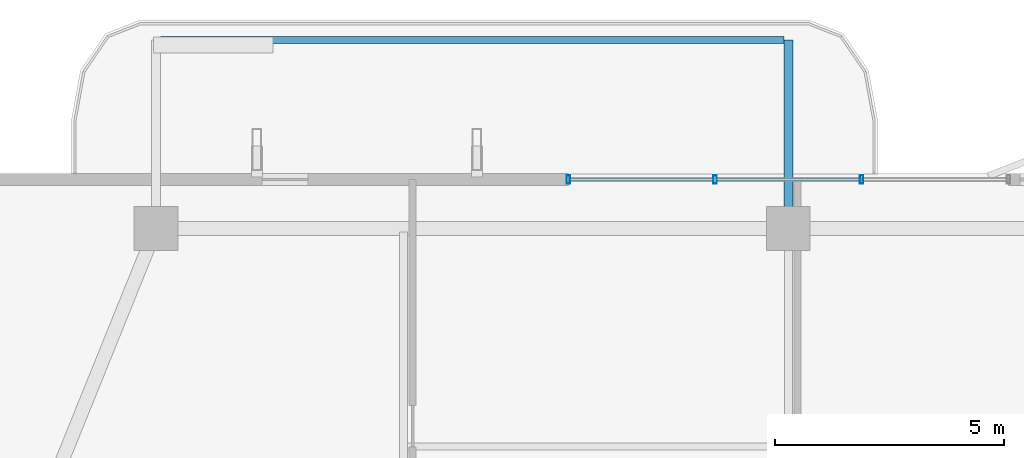
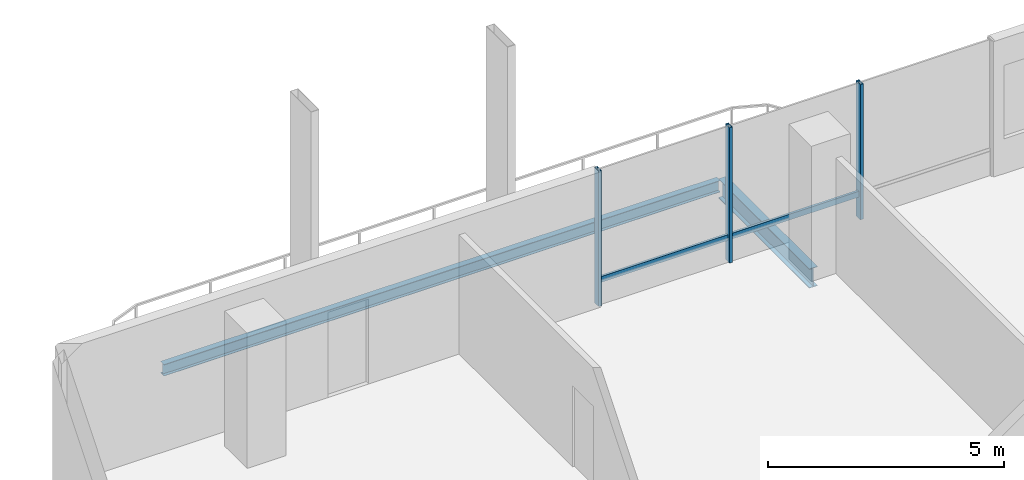
# One storey, part 13 of 25: 5 members, 2 beams, 1 element without a shape of its own.
"""IFC4 building model written with IfcOpenShell, lengths in metres."""

import ifcopenshell
import ifcopenshell.guid

model = None  # the IFC model being written
_history = None  # IfcOwnerHistory: only IFC2X3 demands one
_inside = {}  # id of a spatial element -> (the spatial element, [elements in it])
_under = {}  # id of a project, library or spatial element -> (it, [spatial elements below it])
_declared = {}  # id of a project -> (the project, [libraries it declares])
_typed = {}  # id of a type object -> (the type object, [elements of that type])
_made_of = {}  # id of a material, layer set ... -> (it, [elements and type objects made of it])


def new_model(schema):
    """Start an empty IFC model of exactly this schema.

    Asked for "IFC4X3", IfcOpenShell would pick the latest addendum, in which some entities
    have other attributes; the version numbers below select the first issue.
    IFC2X3 requires an IfcOwnerHistory on every rooted entity: one is made here for all.
    """
    global model, _history
    if schema == "IFC4X3":
        model = ifcopenshell.file(schema_version=(4, 3, 0, 0))
    else:
        model = ifcopenshell.file(schema=schema)
    _inside.clear()
    _under.clear()
    _declared.clear()
    _typed.clear()
    _made_of.clear()
    _history = None
    if model.schema == "IFC2X3":
        org = make("IfcOrganization", Name="unknown")
        user = make(
            "IfcPersonAndOrganization",
            ThePerson=make("IfcPerson", FamilyName="unknown"),
            TheOrganization=org,
        )
        app = make(
            "IfcApplication",
            ApplicationDeveloper=org,
            Version="unknown",
            ApplicationFullName="unknown",
            ApplicationIdentifier="unknown",
        )
        _history = make(
            "IfcOwnerHistory",
            OwningUser=user,
            OwningApplication=app,
            ChangeAction="ADDED",
            CreationDate=0,
        )
    return model


def make(cls, **values):
    """One entity of the class cls with the attributes given. An attribute that is None is left unset."""
    return model.create_entity(
        cls, **{name: value for name, value in values.items() if value is not None}
    )


def rooted(cls, **values):
    """An entity with a GlobalId (a new one), such as an element, a storey or a relation."""
    return make(cls, GlobalId=ifcopenshell.guid.new(), OwnerHistory=_history, **values)


def si_unit(unit_type, name, prefix=None):
    """IfcSIUnit, for example si_unit("LENGTHUNIT", "METRE", prefix="MILLI")."""
    return make("IfcSIUnit", UnitType=unit_type, Prefix=prefix, Name=name)


def assignment(units):
    """IfcUnitAssignment: the units of a project."""
    return None if units is None else make("IfcUnitAssignment", Units=units)


def point(xyz):
    """IfcCartesianPoint."""
    return None if xyz is None else make("IfcCartesianPoint", Coordinates=xyz)


def direction(xyz):
    """IfcDirection."""
    return None if xyz is None else make("IfcDirection", DirectionRatios=xyz)


def frame(location, z_axis=None, x_axis=None):
    """IfcAxis2Placement3D, a coordinate frame: its origin and axes. An axis left out is left unset."""
    return make(
        "IfcAxis2Placement3D",
        Location=point(location),
        Axis=direction(z_axis),
        RefDirection=direction(x_axis),
    )


def frame_2d(location, x_axis=None):
    """IfcAxis2Placement2D, a coordinate frame in the plane: its origin and x axis."""
    return make(
        "IfcAxis2Placement2D", Location=point(location), RefDirection=direction(x_axis)
    )


def origin():
    """The frame at (0, 0, 0) with its axes left unset."""
    return frame((0.0, 0.0, 0.0))


def origin_2d():
    """The frame at (0, 0) in the plane with its x axis left unset."""
    return frame_2d((0.0, 0.0))


def place(relative_to, where):
    """IfcLocalPlacement: puts the frame where relative to a parent placement (None: the world)."""
    return make(
        "IfcLocalPlacement", PlacementRelTo=relative_to, RelativePlacement=where
    )


def context(
    kind, dimensions, precision=None, world=None, true_north=None, identifier=None
):
    """IfcGeometricRepresentationContext, for example the 3D "Model" context."""
    return make(
        "IfcGeometricRepresentationContext",
        ContextIdentifier=identifier,
        ContextType=kind,
        CoordinateSpaceDimension=dimensions,
        Precision=precision,
        WorldCoordinateSystem=world,
        TrueNorth=true_north,
    )


def subcontext(parent, identifier, kind, view, scale=None):
    """IfcGeometricRepresentationSubContext, for example "Body" below "Model"."""
    return make(
        "IfcGeometricRepresentationSubContext",
        ContextIdentifier=identifier,
        ContextType=kind,
        ParentContext=parent,
        TargetScale=scale,
        TargetView=view,
    )


def project(units=None, contexts=None):
    """IfcProject with its units and contexts."""
    return rooted(
        "IfcProject",
        Name="project",
        RepresentationContexts=contexts,
        UnitsInContext=assignment(units),
    )


def spatial(cls, under=None, at=None, **own):
    """A site, building, storey or space (cls), placed at a placement, below another one or the project."""
    s = rooted(cls, ObjectPlacement=at, **own)
    if under is not None:
        _under.setdefault(under.id(), (under, []))[1].append(s)
    return s


def profile(cls, at=None, kind="AREA", **sizes):
    """A parametric profile (cls). Its sizes go by their IFC names, for example OverallWidth=200.0."""
    return make(cls, ProfileType=kind, Position=at, **sizes)


def hollow_rectangle(**sizes):
    """IfcRectangleHollowProfileDef."""
    return profile("IfcRectangleHollowProfileDef", **sizes)


def i_section(**sizes):
    """IfcIShapeProfileDef."""
    return profile("IfcIShapeProfileDef", **sizes)


def extrude(swept, where, along, depth):
    """IfcExtrudedAreaSolid: the profile swept, set in the frame where, extruded along a direction by depth."""
    return make(
        "IfcExtrudedAreaSolid",
        SweptArea=swept,
        Position=where,
        ExtrudedDirection=direction(along),
        Depth=depth,
    )


def shape(context_of_items, identifier, shape_type, items):
    """IfcShapeRepresentation: the items that make up one representation, for example the "Body"."""
    return make(
        "IfcShapeRepresentation",
        ContextOfItems=context_of_items,
        RepresentationIdentifier=identifier,
        RepresentationType=shape_type,
        Items=items,
    )


def material(Name=None, Category=None):
    """IfcMaterial."""
    return make("IfcMaterial", Name=Name, Category=Category)


def layer(
    of_material, thickness, ventilated=None, Name=None, Category=None, Priority=None
):
    """IfcMaterialLayer: one layer of a wall or slab, of a material (None: an air gap)."""
    return make(
        "IfcMaterialLayer",
        Material=of_material,
        LayerThickness=thickness,
        IsVentilated=ventilated,
        Name=Name,
        Category=Category,
        Priority=Priority,
    )


def layer_set(layers, Name=None):
    """IfcMaterialLayerSet."""
    return make("IfcMaterialLayerSet", MaterialLayers=layers, LayerSetName=Name)


def material_profile(
    of_material, cross_section, Name=None, Category=None, Priority=None
):
    """IfcMaterialProfile: a cross section and its material."""
    return make(
        "IfcMaterialProfile",
        Name=Name,
        Material=of_material,
        Profile=cross_section,
        Priority=Priority,
        Category=Category,
    )


def profile_set(profiles, Name=None, composite=None):
    """IfcMaterialProfileSet."""
    return make(
        "IfcMaterialProfileSet",
        Name=Name,
        MaterialProfiles=profiles,
        CompositeProfile=composite,
    )


def made_of(thing, what):
    """Note that an element or type object is made of a material, layer set ...; save() writes the relation."""
    if what is not None:
        _made_of.setdefault(what.id(), (what, []))[1].append(thing)
    return thing


def type_object(cls, material=None, **own):
    """A type object (cls), such as IfcWallType, which elements share."""
    return made_of(rooted(cls, **own), material)


def element(
    cls,
    number,
    at=None,
    inside=None,
    cuts=None,
    type_object=None,
    material=None,
    context=None,
    identifier="Body",
    shape_type=None,
    held_by="IfcProductDefinitionShape",
    body=None,
    shapes=None,
    **own,
):
    """One element of the class cls, such as IfcWall. Its Tag is "e" and its number.

    at: its placement. inside: the storey or other place that contains it. cuts: it is an
    opening in that element (IfcRelVoidsElement). A single representation is given by context,
    identifier, shape_type and body (its items); several are given by shapes. held_by: the class
    of the entity that holds the representations. save() writes the other relations.
    """
    e = rooted(cls, Tag="e%d" % number, ObjectPlacement=at, **own)
    if body is not None:
        shapes = [shape(context, identifier, shape_type, body)]
    if shapes is not None:
        e.Representation = make(held_by, Representations=shapes)
    if inside is not None:
        _inside.setdefault(inside.id(), (inside, []))[1].append(e)
    if cuts is not None:
        rooted(
            "IfcRelVoidsElement", RelatingBuildingElement=cuts, RelatedOpeningElement=e
        )
    if type_object is not None:
        _typed.setdefault(type_object.id(), (type_object, []))[1].append(e)
    return made_of(e, material)


def aggregate(whole, parts):
    """IfcRelAggregates: a whole, such as a stair, and the parts it consists of."""
    return rooted("IfcRelAggregates", RelatingObject=whole, RelatedObjects=parts)


def save(model, path):
    """Write the relations noted so far, then the file.

    IfcRelAggregates (storeys below a building ...), IfcRelContainedInSpatialStructure (elements
    in a storey), IfcRelDefinesByType, IfcRelAssociatesMaterial and IfcRelDeclares: one each for
    every whole, place, type object, material and project.
    """
    for whole, parts in _under.values():
        aggregate(whole, parts)
    for where, things in _inside.values():
        rooted(
            "IfcRelContainedInSpatialStructure",
            RelatedElements=things,
            RelatingStructure=where,
        )
    for kind, things in _typed.values():
        rooted("IfcRelDefinesByType", RelatedObjects=things, RelatingType=kind)
    for what, things in _made_of.values():
        rooted("IfcRelAssociatesMaterial", RelatedObjects=things, RelatingMaterial=what)
    for by, libraries in _declared.values():
        rooted("IfcRelDeclares", RelatingContext=by, RelatedDefinitions=libraries)
    model.write(path)


model = new_model("IFC4")

# Units and contexts
model_context = context("Model", 3, precision=1e-05, world=origin(), true_north=direction((0.0, 1.0)))
body_context = subcontext(model_context, "Body", "Model", "MODEL_VIEW")
ifc_project = project(units=[si_unit("LENGTHUNIT", "METRE"), si_unit("AREAUNIT", "SQUARE_METRE"), si_unit("VOLUMEUNIT", "CUBIC_METRE"), si_unit("PLANEANGLEUNIT", "RADIAN"), si_unit("MASSUNIT", "GRAM", prefix="KILO")], contexts=[model_context])

# Site, building, storey
site_placement = place(None, origin())
site = spatial("IfcSite", under=ifc_project, at=site_placement, CompositionType="ELEMENT")
building_placement = place(site_placement, origin())
building = spatial("IfcBuilding", under=site, at=building_placement, Name="Belovzor Exchange Tower", CompositionType="ELEMENT")
storey_placement = place(building_placement, frame((0.0, 0.0, 250.35009765625)))
storey = spatial("IfcBuildingStorey", under=building, at=storey_placement, Name="L62", CompositionType="ELEMENT", Elevation=250.35009765625)

# Beams
ifc_material_1 = material(Name="Steel S355", Category="steel")
ifc_material_profile_1 = material_profile(ifc_material_1, i_section(OverallWidth=0.199951171875, OverallDepth=0.5, WebThickness=0.01025390625, FlangeThickness=0.01611328125, at=origin_2d()))
ifc_profile_set_1 = profile_set([ifc_material_profile_1], Name="Steel S355")
beam_type_1 = type_object("IfcBeamType", Name="Planted Balcony Cantilever Beam IPE 500", PredefinedType="BEAM", material=ifc_profile_set_1)
beam_1_placement = place(storey_placement, frame((28.800048828125, 52.760986328125, -0.5), z_axis=(0.0, 1.0, 0.0), x_axis=(-1.0, 0.0, 0.0)))
element("IfcBeam", 1, at=beam_1_placement, inside=storey, type_object=beam_type_1, Name="BC-500 Planted Balcony Cantilever Beam IPE 500", PredefinedType="BEAM", context=body_context, shape_type="SweptSolid", body=[
    extrude(i_section(OverallWidth=0.199951171875, OverallDepth=0.5, WebThickness=0.01025390625, FlangeThickness=0.01611328125, at=origin_2d()), origin(), (0.0, 0.0, 1.0), 3.85009765625),
])
ifc_material_2 = material(Name="Steel S355", Category="steel")
ifc_material_profile_2 = material_profile(ifc_material_2, i_section(OverallWidth=0.14990234375, OverallDepth=0.300048828125, WebThickness=0.007080078125, FlangeThickness=0.0107421875, at=origin_2d()))
ifc_profile_set_2 = profile_set([ifc_material_profile_2], Name="Steel S355")
beam_type_2 = type_object("IfcBeamType", Name="Planted Balcony Fascia Edge Beam IPE 300", PredefinedType="BEAM", material=ifc_profile_set_2)
beam_2_placement = place(storey_placement, frame((28.699951171875, 56.611083984375, -0.400146484375), z_axis=(-1.0, 0.0, 0.0), x_axis=(0.0, -1.0, 0.0)))
element("IfcBeam", 2, at=beam_2_placement, inside=storey, type_object=beam_type_2, Name="BC-300 Planted Balcony Fascia Edge Beam IPE 300", PredefinedType="BEAM", context=body_context, shape_type="SweptSolid", body=[
    extrude(i_section(OverallWidth=0.14990234375, OverallDepth=0.300048828125, WebThickness=0.007080078125, FlangeThickness=0.0107421875, at=origin_2d()), origin(), (0.0, 0.0, 1.0), 13.599853515625),
])

# Curtain wall, members
ifc_material_3 = material(Name="Anodised Aluminium Framing", Category="aluminium")
ifc_layer = layer(ifc_material_3, 0.179931640625)
ifc_layer_set = layer_set([ifc_layer], Name="Anodised Aluminium Framing")
curtain_wall_type = type_object("IfcCurtainWallType", Name="Recessed Loggia Low-Iron Triple-Glazed Curtain Wall", PredefinedType="NOTDEFINED", material=ifc_layer_set)
curtain_wall_placement = place(storey_placement, origin())
curtain_wall = element("IfcCurtainWall", 3, at=curtain_wall_placement, inside=storey, type_object=curtain_wall_type, Name="CW3 Recessed Loggia Low-Iron Triple-Glazed Curtain Wall L62", PredefinedType="NOTDEFINED")
ifc_material_4 = material(Name="Steel S355", Category="steel")
ifc_material_profile_3 = material_profile(ifc_material_4, hollow_rectangle(XDim=0.074951171875, YDim=0.179931640625, WallThickness=0.0048828125, at=origin_2d()))
ifc_profile_set_3 = profile_set([ifc_material_profile_3], Name="Steel S355")
member_type_1 = type_object("IfcMemberType", Name="Thermally Broken Curtain Wall Mullion 180x75", PredefinedType="MULLION", material=ifc_profile_set_3)
member_1_placement = place(storey_placement, frame((24.0, 53.570068359375, 0.0), z_axis=(0.0, 0.0, 1.0), x_axis=(1.0, 0.0, 0.0)))
member_1 = element("IfcMember", 4, at=member_1_placement, type_object=member_type_1, Name="CW-M180 Curtain Wall Mullion 1", PredefinedType="MULLION", context=body_context, shape_type="SweptSolid", body=[
    extrude(hollow_rectangle(XDim=0.074951171875, YDim=0.179931640625, WallThickness=0.0048828125, at=origin_2d()), origin(), (0.0, 0.0, 1.0), 3.5),
])
member_2_placement = place(storey_placement, frame((27.199951171875, 53.570068359375, 0.0), z_axis=(0.0, 0.0, 1.0), x_axis=(1.0, 0.0, 0.0)))
member_2 = element("IfcMember", 5, at=member_2_placement, type_object=member_type_1, Name="CW-M180 Curtain Wall Mullion 2", PredefinedType="MULLION", context=body_context, shape_type="SweptSolid", body=[
    extrude(hollow_rectangle(XDim=0.074951171875, YDim=0.179931640625, WallThickness=0.0048828125, at=origin_2d()), origin(), (0.0, 0.0, 1.0), 3.5),
])
member_3_placement = place(storey_placement, frame((30.39990234375, 53.570068359375, 0.0), z_axis=(0.0, 0.0, 1.0), x_axis=(1.0, 0.0, 0.0)))
member_3 = element("IfcMember", 6, at=member_3_placement, type_object=member_type_1, Name="CW-M180 Curtain Wall Mullion 3", PredefinedType="MULLION", context=body_context, shape_type="SweptSolid", body=[
    extrude(hollow_rectangle(XDim=0.074951171875, YDim=0.179931640625, WallThickness=0.0048828125, at=origin_2d()), origin(), (0.0, 0.0, 1.0), 3.5),
])
ifc_material_5 = material(Name="Steel S355", Category="steel")
ifc_material_profile_4 = material_profile(ifc_material_5, hollow_rectangle(XDim=0.06005859375, YDim=0.14990234375, WallThickness=0.00390625, at=origin_2d()))
ifc_profile_set_4 = profile_set([ifc_material_profile_4], Name="Steel S355")
member_type_2 = type_object("IfcMemberType", Name="Thermally Broken Curtain Wall Transom 150x60", PredefinedType="USERDEFINED", material=ifc_profile_set_4)
member_4_placement = place(storey_placement, frame((24.008056640625, 53.570068359375, 0.6298828125), z_axis=(1.0, 0.0, 0.0), x_axis=(0.0, 1.0, 0.0)))
member_4 = element("IfcMember", 7, at=member_4_placement, type_object=member_type_2, Name="CW-T150 Curtain Wall Transom 1", ObjectType="TRANSOM", PredefinedType="USERDEFINED", context=body_context, shape_type="SweptSolid", body=[
    extrude(hollow_rectangle(XDim=0.06005859375, YDim=0.14990234375, WallThickness=0.00390625, at=origin_2d()), origin(), (0.0, 0.0, 1.0), 3.183837890625),
])
member_5_placement = place(storey_placement, frame((27.2080078125, 53.570068359375, 0.6298828125), z_axis=(1.0, 0.0, 0.0), x_axis=(0.0, 1.0, 0.0)))
member_5 = element("IfcMember", 8, at=member_5_placement, type_object=member_type_2, Name="CW-T150 Curtain Wall Transom 2", ObjectType="TRANSOM", PredefinedType="USERDEFINED", context=body_context, shape_type="SweptSolid", body=[
    extrude(hollow_rectangle(XDim=0.06005859375, YDim=0.14990234375, WallThickness=0.00390625, at=origin_2d()), origin(), (0.0, 0.0, 1.0), 3.18408203125),
])
aggregate(curtain_wall, [member_1, member_2, member_3, member_4, member_5])

save(model, "model.ifc")
